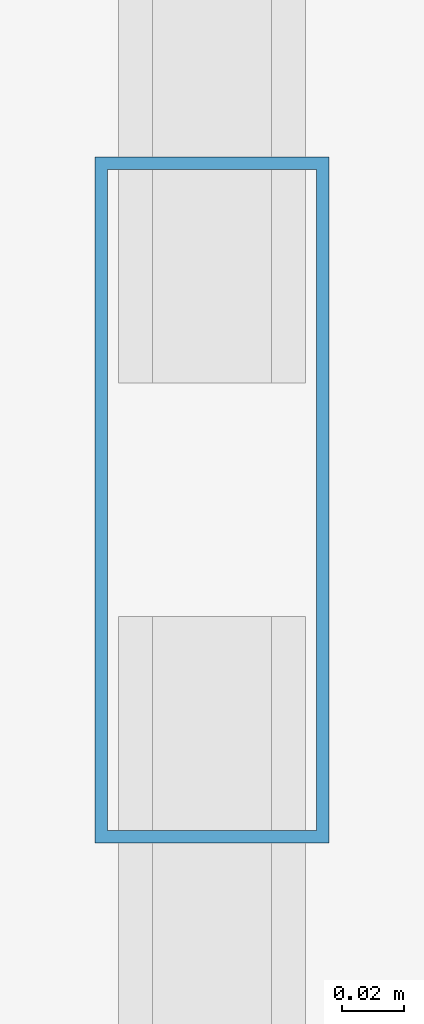
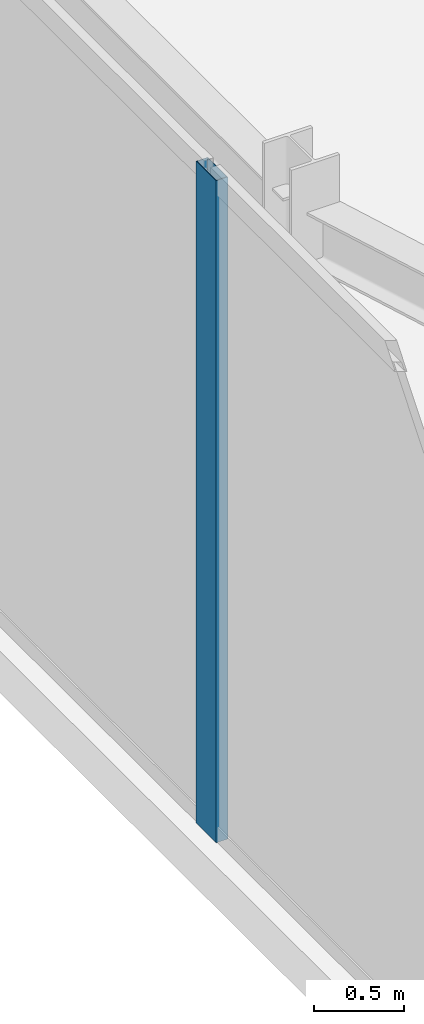
# One storey, part 7 of 20: 1 member, 1 element without a shape of its own.
"""IFC4 building model written with IfcOpenShell, lengths in metres."""

from ifc_helpers import new_model, si_unit, direction, frame, origin, origin_2d, place, context, subcontext, project, spatial, hollow_rectangle, extrude, source, transform, mapped, material, layer, layer_set, material_profile, profile_set, type_object, type_shapes, element, aggregate, save


model = new_model("IFC4")

# Units and contexts
model_context = context("Model", 3, precision=1e-05, world=origin(), true_north=direction((0.0, 1.0)))
body_context = subcontext(model_context, "Body", "Model", "MODEL_VIEW")
ifc_project = project(units=[si_unit("LENGTHUNIT", "METRE"), si_unit("AREAUNIT", "SQUARE_METRE"), si_unit("VOLUMEUNIT", "CUBIC_METRE"), si_unit("PLANEANGLEUNIT", "RADIAN"), si_unit("MASSUNIT", "GRAM", prefix="KILO")], contexts=[model_context])

# Site, building, storey
site_placement = place(None, origin())
site = spatial("IfcSite", under=ifc_project, at=site_placement, CompositionType="ELEMENT")
building_placement = place(site_placement, origin())
building = spatial("IfcBuilding", under=site, at=building_placement, Name="Varnel Quay Broadcast Tower", CompositionType="ELEMENT")
storey_placement = place(building_placement, frame((0.0, 0.0, 309.800048828125)))
storey = spatial("IfcBuildingStorey", under=building, at=storey_placement, Name="L77", CompositionType="ELEMENT", Elevation=309.800048828125)

# Curtain wall, member
ifc_material = material(Name="Anodised Bronze Aluminium 6063-T6", Category="aluminium")
ifc_layer = layer(ifc_material, 0.18994140625, Name="Anodised Bronze Aluminium 6063-T6")
ifc_layer_set = layer_set([ifc_layer], Name="Anodised Bronze Aluminium 6063-T6")
curtain_wall_type = type_object("IfcCurtainWallType", Name="CW_SkyObsHighVis", PredefinedType="NOTDEFINED", material=ifc_layer_set)
curtain_wall_placement = place(storey_placement, origin())
curtain_wall = element("IfcCurtainWall", 1, at=curtain_wall_placement, inside=storey, type_object=curtain_wall_type, Name="L77 West Unitised Curtain Wall", PredefinedType="NOTDEFINED")
ifc_material_profile = material_profile(ifc_material, hollow_rectangle(XDim=0.074951171875, YDim=0.219970703125, WallThickness=0.00390625, at=origin_2d()), Name="ALU75X220X4")
ifc_profile_set = profile_set([ifc_material_profile], Name="Anodised Bronze Aluminium 6063-T6")
member_type = type_object("IfcMemberType", Name="Mull_CWS-05", PredefinedType="MULLION", material=ifc_profile_set)
shared_shape = source(origin(), body_context, "Body", "SweptSolid", [
    extrude(hollow_rectangle(XDim=0.074951171875, YDim=0.219970703125, WallThickness=0.00390625, at=origin_2d()), origin(), (0.0, 0.0, 1.0), 4.47998046875),
])
type_shapes(member_type, [shared_shape])
member_placement = place(storey_placement, frame((12.14990234375, 25.466552734375, 0.0), z_axis=(0.0, 0.0, 1.0), x_axis=(-1.0, 0.0, 0.0)))
member = element("IfcMember", 2, at=member_placement, type_object=member_type, Name="CWS-05 mullion 2", PredefinedType="MULLION", context=body_context, shape_type="MappedRepresentation", body=[
    mapped(shared_shape, transform((0.0, 0.0, 0.0), x_axis=(1.0, 0.0, 0.0), y_axis=(0.0, 1.0, 0.0), z_axis=(0.0, 0.0, 1.0), scale=1.0)),
])
aggregate(curtain_wall, [member])

save(model, "model.ifc")
